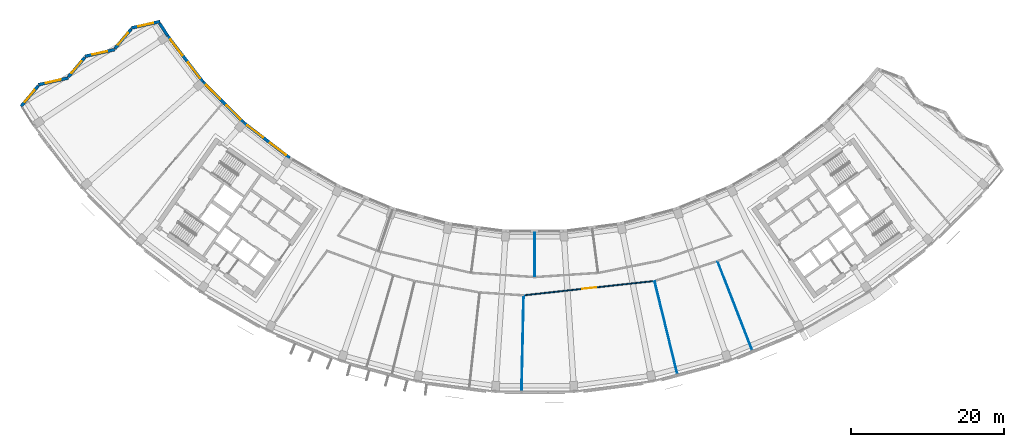
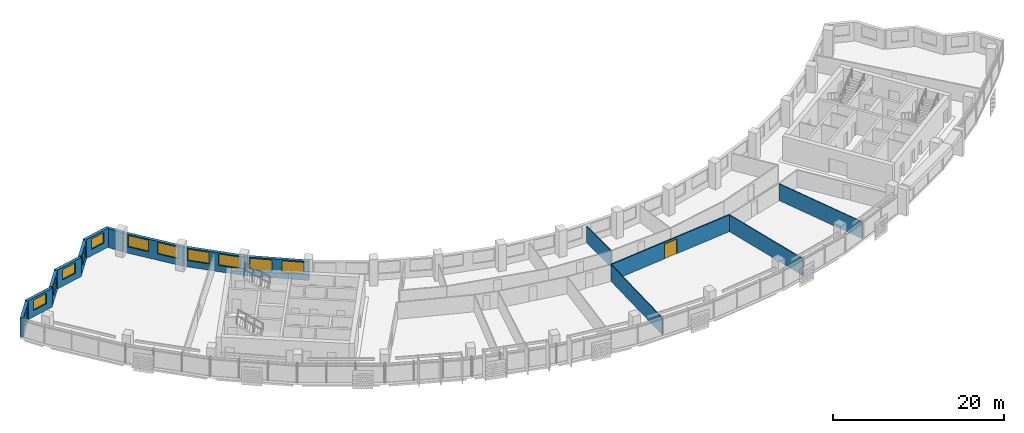
# One storey, part 5 of 27: 15 walls, 12 windows, 1 door, 13 openings.
"""IFC4 building model written with IfcOpenShell, lengths in metres."""

from ifc_helpers import new_model, si_unit, direction, frame, frame_2d, origin, place, context, subcontext, project, spatial, rectangle, extrude, material, layer, layer_set, type_object, element, fill, save


model = new_model("IFC4")

# Units and contexts
model_context = context("Model", 3, precision=1e-05, world=origin(), true_north=direction((0.0, 1.0)))
body_context = subcontext(model_context, "Body", "Model", "MODEL_VIEW")
ifc_project = project(units=[si_unit("LENGTHUNIT", "METRE"), si_unit("AREAUNIT", "SQUARE_METRE"), si_unit("VOLUMEUNIT", "CUBIC_METRE"), si_unit("PLANEANGLEUNIT", "RADIAN"), si_unit("MASSUNIT", "GRAM", prefix="KILO")], contexts=[model_context])

# Site, building, storey
site_placement = place(None, origin())
site = spatial("IfcSite", under=ifc_project, at=site_placement, CompositionType="ELEMENT")
building_placement = place(site_placement, origin())
building = spatial("IfcBuilding", under=site, at=building_placement, Name="Qamariyya Broadcast Tower", CompositionType="ELEMENT")
storey_placement = place(building_placement, frame((0.0, 0.0, 237.89990234375)))
storey = spatial("IfcBuildingStorey", under=building, at=storey_placement, Name="L57", CompositionType="ELEMENT", Elevation=237.89990234375)

# Wall, opening, door
ifc_material_1 = material(Name="Gypsum board partition")
ifc_layer_1 = layer(ifc_material_1, 0.14990234375)
ifc_layer_set_1 = layer_set([ifc_layer_1], Name="Corridor partition 150 EI 60")
wall_type_1 = type_object("IfcWallType", Name="Corridor partition 150 EI 60", PredefinedType="PARTITIONING", material=ifc_layer_set_1)
wall_1_placement = place(storey_placement, frame((15.637939453125, -63.914794921875, 0.0), z_axis=(0.0, 0.0, 1.0), x_axis=(-0.99406045317, -0.108829294966, 0.0)))
wall_1 = element("IfcWall", 1, at=wall_1_placement, inside=storey, type_object=wall_type_1, Name="Partition L57-017", PredefinedType="PARTITIONING", context=body_context, shape_type="SweptSolid", body=[
    extrude(rectangle(XDim=17.17724609375, YDim=0.14990234375, at=frame_2d((8.588623046875, 0.0))), origin(), (0.0, 0.0, 1.0), 2.400146484375),
])
opening_1_placement = place(wall_1_placement, frame((7.688720703125, 0.0, 0.0)))
opening_1 = element("IfcOpeningElement", 2, at=opening_1_placement, cuts=wall_1, Name="Opening L57-D05", PredefinedType="OPENING", context=body_context, shape_type="SweptSolid", body=[
    extrude(rectangle(XDim=1.800048828125, YDim=2.10009765625, at=frame_2d((0.89990234375, 1.050048828125))), frame((0.0, 0.0849609375, 0.0), z_axis=(0.0, -1.0, 0.0), x_axis=(1.0, 0.0, 0.0)), (0.0, 0.0, 1.0), 0.169921875),
])
ifc_material_2 = material(Name="Timber fire door leaf", Category="wood")
door_type = type_object("IfcDoorType", Name="Double fire door 1800 x 2100 FD60", OperationType="NOTDEFINED", PredefinedType="DOOR", material=ifc_material_2)
door_placement = place(opening_1_placement, origin())
door = element("IfcDoor", 3, at=door_placement, inside=storey, type_object=door_type, Name="Door L57-D05", OperationType="DOUBLE_DOOR_SINGLE_SWING", OverallHeight=2.10009765625, OverallWidth=1.800048828125, PredefinedType="DOOR", context=body_context, shape_type="SweptSolid", body=[
    extrude(rectangle(XDim=1.800048828125, YDim=2.10009765625, at=frame_2d((0.89990234375, 1.050048828125))), frame((0.0, 0.02490234375, 0.0), z_axis=(0.0, -1.0, 0.0), x_axis=(1.0, 0.0, 0.0)), (0.0, 0.0, 1.0), 0.050048828125),
])
fill(opening_1, door)

# Walls
ifc_layer_2 = layer(ifc_material_1, 0.10009765625)
ifc_layer_set_2 = layer_set([ifc_layer_2], Name="Partition 100")
wall_type_2 = type_object("IfcWallType", Name="Partition 100", PredefinedType="PARTITIONING", material=ifc_layer_set_2)
wall_2_placement = place(storey_placement, frame((-1.710205078125, -78.28173828125, 0.0), z_axis=(0.0, 0.0, 1.0), x_axis=(0.02182963041, 0.999761705226, 0.0)))
element("IfcWall", 4, at=wall_2_placement, inside=storey, type_object=wall_type_2, Name="Partition L57-016", PredefinedType="PARTITIONING", context=body_context, shape_type="SweptSolid", body=[
    extrude(rectangle(XDim=12.42529296875, YDim=0.10009765625, at=frame_2d((6.212646484375, 0.0))), origin(), (0.0, 0.0, 1.0), 2.400146484375),
])
wall_3_placement = place(storey_placement, frame((0.0, -57.627197265625, 0.0), z_axis=(0.0, 0.0, 1.0), x_axis=(0.0, -1.0, 0.0)))
element("IfcWall", 5, at=wall_3_placement, inside=storey, type_object=wall_type_2, Name="Partition L57-019", PredefinedType="PARTITIONING", context=body_context, shape_type="SweptSolid", body=[
    extrude(rectangle(XDim=5.69775390625, YDim=0.10009765625, at=frame_2d((2.848876953125, 0.0))), origin(), (0.0, 0.0, 1.0), 2.400146484375),
])
for number, where, z_axis, x_axis, name in (
    (6, (18.60888671875, -76.056884765625, 0.0), (0.0, 0.0, 1.0), (-0.237668980718, 0.971346207901, 0.0), "Partition L57-024"),
    (7, (28.376953125, -72.977294921875, 0.0), (0.0, 0.0, 1.0), (-0.362402643561, 0.932021632764, 0.0), "Partition L57-028"),
):
    element("IfcWall", number, at=place(storey_placement, frame(where, z_axis=z_axis, x_axis=x_axis)), inside=storey, type_object=wall_type_2, Name=name, PredefinedType="PARTITIONING", context=body_context, shape_type="SweptSolid", body=[
        extrude(rectangle(XDim=12.42529296875, YDim=0.10009765625, at=frame_2d((6.212646484375, 0.0))), origin(), (0.0, 0.0, 1.0), 2.400146484375),
    ])

# Wall, opening, window
ifc_material_3 = material(Name="Terracotta", Category="masonry")
ifc_layer_3 = layer(ifc_material_3, 0.39990234375)
ifc_layer_set_3 = layer_set([ifc_layer_3], Name="Terracotta clad wall 400")
wall_type_3 = type_object("IfcWallType", Name="Terracotta clad wall 400", PredefinedType="SOLIDWALL", material=ifc_layer_set_3)
wall_4_placement = place(storey_placement, frame((-48.857177734375, -30.075927734375, 0.0), z_axis=(0.0, 0.0, 1.0), x_axis=(-0.97561725749, -0.219478852938, 0.0)))
wall_4 = element("IfcWall", 8, at=wall_4_placement, inside=storey, type_object=wall_type_3, Name="e-wl-L57-capW0", PredefinedType="SOLIDWALL", context=body_context, shape_type="SweptSolid", body=[
    extrude(rectangle(XDim=3.833251953125, YDim=0.39990234375, at=frame_2d((1.91650390625, 0.0))), origin(), (0.0, 0.0, 1.0), 2.7001953125),
])
opening_2_placement = place(wall_4_placement, frame((0.91650390625, 0.0, 0.89990234375)))
opening_2 = element("IfcOpeningElement", 9, at=opening_2_placement, cuts=wall_4, Name="Opening W4", PredefinedType="OPENING", context=body_context, shape_type="SweptSolid", body=[
    extrude(rectangle(XDim=2.0, YDim=1.5, at=frame_2d((1.0, 0.75))), frame((0.0, 0.2099609375, 0.0), z_axis=(0.0, -1.0, 0.0), x_axis=(1.0, 0.0, 0.0)), (0.0, 0.0, 1.0), 0.419921875),
])
ifc_material_4 = material(Name="Clear low-e double glazed unit in aluminium frame", Category="aluminium")
window_type_1 = type_object("IfcWindowType", Name="Horn bay window 2000 x 1500", PartitioningType="SINGLE_PANEL", PredefinedType="WINDOW", material=ifc_material_4)
window_1_placement = place(opening_2_placement, origin())
window_1 = element("IfcWindow", 10, at=window_1_placement, inside=storey, type_object=window_type_1, Name="e-w-L57-capW0", OverallHeight=1.5, OverallWidth=2.0, PartitioningType="SINGLE_PANEL", PredefinedType="WINDOW", context=body_context, shape_type="SweptSolid", body=[
    extrude(rectangle(XDim=2.0, YDim=1.5, at=frame_2d((1.0, 0.75))), frame((0.0, 0.030029296875, 0.0), z_axis=(0.0, -1.0, 0.0), x_axis=(1.0, 0.0, 0.0)), (0.0, 0.0, 1.0), 0.06005859375),
])
fill(opening_2, window_1)

wall_5_placement = place(storey_placement, frame((-52.618896484375, -31.056884765625, 0.0), z_axis=(0.0, 0.0, 1.0), x_axis=(-0.642384228886, -0.766382738896, 0.0)))
wall_5 = element("IfcWall", 11, at=wall_5_placement, inside=storey, type_object=wall_type_3, Name="e-wl-L57-capW1", PredefinedType="SOLIDWALL", context=body_context, shape_type="SweptSolid", body=[
    extrude(rectangle(XDim=3.325439453125, YDim=0.39990234375, at=frame_2d((1.66259765625, 0.0))), origin(), (0.0, 0.0, 1.0), 2.7001953125),
])
opening_3_placement = place(wall_5_placement, frame((0.662841796875, 0.0, 0.89990234375)))
opening_3 = element("IfcOpeningElement", 12, at=opening_3_placement, cuts=wall_5, Name="Opening W4", PredefinedType="OPENING", context=body_context, shape_type="SweptSolid", body=[
    extrude(rectangle(XDim=2.0, YDim=1.5, at=frame_2d((1.0, 0.75))), frame((0.0, 0.2099609375, 0.0), z_axis=(0.0, -1.0, 0.0), x_axis=(1.0, 0.0, 0.0)), (0.0, 0.0, 1.0), 0.419921875),
])
window_2_placement = place(opening_3_placement, origin())
window_2 = element("IfcWindow", 13, at=window_2_placement, inside=storey, type_object=window_type_1, Name="e-w-L57-capW1", OverallHeight=1.5, OverallWidth=2.0, PartitioningType="SINGLE_PANEL", PredefinedType="WINDOW", context=body_context, shape_type="SweptSolid", body=[
    extrude(rectangle(XDim=2.0, YDim=1.5, at=frame_2d((1.0, 0.75))), frame((0.0, 0.030029296875, 0.0), z_axis=(0.0, -1.0, 0.0), x_axis=(1.0, 0.0, 0.0)), (0.0, 0.0, 1.0), 0.06005859375),
])
fill(opening_3, window_2)

wall_6_placement = place(storey_placement, frame((-54.777099609375, -33.7451171875, 0.0), z_axis=(0.0, 0.0, 1.0), x_axis=(-0.975595621959, -0.219575004074, 0.0)))
wall_6 = element("IfcWall", 14, at=wall_6_placement, inside=storey, type_object=wall_type_3, Name="e-wl-L57-capW2", PredefinedType="SOLIDWALL", context=body_context, shape_type="SweptSolid", body=[
    extrude(rectangle(XDim=3.977294921875, YDim=0.39990234375, at=frame_2d((1.98876953125, 0.0))), origin(), (0.0, 0.0, 1.0), 2.7001953125),
])
opening_4_placement = place(wall_6_placement, frame((0.988525390625, 0.0, 0.89990234375)))
opening_4 = element("IfcOpeningElement", 15, at=opening_4_placement, cuts=wall_6, Name="Opening W4", PredefinedType="OPENING", context=body_context, shape_type="SweptSolid", body=[
    extrude(rectangle(XDim=2.0, YDim=1.5, at=frame_2d((1.0, 0.75))), frame((0.0, 0.2099609375, 0.0), z_axis=(0.0, -1.0, 0.0), x_axis=(1.0, 0.0, 0.0)), (0.0, 0.0, 1.0), 0.419921875),
])
window_3_placement = place(opening_4_placement, origin())
window_3 = element("IfcWindow", 16, at=window_3_placement, inside=storey, type_object=window_type_1, Name="e-w-L57-capW2", OverallHeight=1.5, OverallWidth=2.0, PartitioningType="SINGLE_PANEL", PredefinedType="WINDOW", context=body_context, shape_type="SweptSolid", body=[
    extrude(rectangle(XDim=2.0, YDim=1.5, at=frame_2d((1.0, 0.75))), frame((0.0, 0.030029296875, 0.0), z_axis=(0.0, -1.0, 0.0), x_axis=(1.0, 0.0, 0.0)), (0.0, 0.0, 1.0), 0.06005859375),
])
fill(opening_4, window_3)

wall_7_placement = place(storey_placement, frame((-58.67919921875, -34.7578125, 0.0), z_axis=(0.0, 0.0, 1.0), x_axis=(-0.642283999944, -0.766466739928, 0.0)))
wall_7 = element("IfcWall", 17, at=wall_7_placement, inside=storey, type_object=wall_type_3, Name="e-wl-L57-capW3", PredefinedType="SOLIDWALL", context=body_context, shape_type="SweptSolid", body=[
    extrude(rectangle(XDim=3.324462890625, YDim=0.39990234375, at=frame_2d((1.662109375, 0.0))), origin(), (0.0, 0.0, 1.0), 2.7001953125),
])
opening_5_placement = place(wall_7_placement, frame((0.662353515625, 0.0, 0.89990234375)))
opening_5 = element("IfcOpeningElement", 18, at=opening_5_placement, cuts=wall_7, Name="Opening W4", PredefinedType="OPENING", context=body_context, shape_type="SweptSolid", body=[
    extrude(rectangle(XDim=2.0, YDim=1.5, at=frame_2d((1.0, 0.75))), frame((0.0, 0.2099609375, 0.0), z_axis=(0.0, -1.0, 0.0), x_axis=(1.0, 0.0, 0.0)), (0.0, 0.0, 1.0), 0.419921875),
])
window_4_placement = place(opening_5_placement, origin())
window_4 = element("IfcWindow", 19, at=window_4_placement, inside=storey, type_object=window_type_1, Name="e-w-L57-capW3", OverallHeight=1.5, OverallWidth=2.0, PartitioningType="SINGLE_PANEL", PredefinedType="WINDOW", context=body_context, shape_type="SweptSolid", body=[
    extrude(rectangle(XDim=2.0, YDim=1.5, at=frame_2d((1.0, 0.75))), frame((0.0, 0.030029296875, 0.0), z_axis=(0.0, -1.0, 0.0), x_axis=(1.0, 0.0, 0.0)), (0.0, 0.0, 1.0), 0.06005859375),
])
fill(opening_5, window_4)

wall_8_placement = place(storey_placement, frame((-60.83642578125, -37.445556640625, 0.0), z_axis=(0.0, 0.0, 1.0), x_axis=(-0.975581162557, -0.2196392389, 0.0)))
wall_8 = element("IfcWall", 20, at=wall_8_placement, inside=storey, type_object=wall_type_3, Name="e-wl-L57-capW4", PredefinedType="SOLIDWALL", context=body_context, shape_type="SweptSolid", body=[
    extrude(rectangle(XDim=3.978271484375, YDim=0.39990234375, at=frame_2d((1.9892578125, 0.0))), origin(), (0.0, 0.0, 1.0), 2.7001953125),
])
opening_6_placement = place(wall_8_placement, frame((0.989013671875, 0.0, 0.89990234375)))
opening_6 = element("IfcOpeningElement", 21, at=opening_6_placement, cuts=wall_8, Name="Opening W4", PredefinedType="OPENING", context=body_context, shape_type="SweptSolid", body=[
    extrude(rectangle(XDim=2.0, YDim=1.5, at=frame_2d((1.0, 0.75))), frame((0.0, 0.2099609375, 0.0), z_axis=(0.0, -1.0, 0.0), x_axis=(1.0, 0.0, 0.0)), (0.0, 0.0, 1.0), 0.419921875),
])
window_5_placement = place(opening_6_placement, origin())
window_5 = element("IfcWindow", 22, at=window_5_placement, inside=storey, type_object=window_type_1, Name="e-w-L57-capW4", OverallHeight=1.5, OverallWidth=2.0, PartitioningType="SINGLE_PANEL", PredefinedType="WINDOW", context=body_context, shape_type="SweptSolid", body=[
    extrude(rectangle(XDim=2.0, YDim=1.5, at=frame_2d((1.0, 0.75))), frame((0.0, 0.030029296875, 0.0), z_axis=(0.0, -1.0, 0.0), x_axis=(1.0, 0.0, 0.0)), (0.0, 0.0, 1.0), 0.06005859375),
])
fill(opening_6, window_5)

wall_9_placement = place(storey_placement, frame((-64.739501953125, -38.458984375, 0.0), z_axis=(0.0, 0.0, 1.0), x_axis=(-0.64221539653, -0.766524223009, 0.0)))
wall_9 = element("IfcWall", 23, at=wall_9_placement, inside=storey, type_object=wall_type_3, Name="e-wl-L57-capW5", PredefinedType="SOLIDWALL", context=body_context, shape_type="SweptSolid", body=[
    extrude(rectangle(XDim=3.472412109375, YDim=0.39990234375, at=frame_2d((1.736328125, 0.0))), origin(), (0.0, 0.0, 1.0), 2.7001953125),
])
opening_7_placement = place(wall_9_placement, frame((0.736083984375, 0.0, 0.89990234375)))
opening_7 = element("IfcOpeningElement", 24, at=opening_7_placement, cuts=wall_9, Name="Opening W4", PredefinedType="OPENING", context=body_context, shape_type="SweptSolid", body=[
    extrude(rectangle(XDim=2.0, YDim=1.5, at=frame_2d((1.0, 0.75))), frame((0.0, 0.2099609375, 0.0), z_axis=(0.0, -1.0, 0.0), x_axis=(1.0, 0.0, 0.0)), (0.0, 0.0, 1.0), 0.419921875),
])
window_6_placement = place(opening_7_placement, origin())
window_6 = element("IfcWindow", 25, at=window_6_placement, inside=storey, type_object=window_type_1, Name="e-w-L57-capW5", OverallHeight=1.5, OverallWidth=2.0, PartitioningType="SINGLE_PANEL", PredefinedType="WINDOW", context=body_context, shape_type="SweptSolid", body=[
    extrude(rectangle(XDim=2.0, YDim=1.5, at=frame_2d((1.0, 0.75))), frame((0.0, 0.030029296875, 0.0), z_axis=(0.0, -1.0, 0.0), x_axis=(1.0, 0.0, 0.0)), (0.0, 0.0, 1.0), 0.06005859375),
])
fill(opening_7, window_6)

# Wall
wall_10_placement = place(storey_placement, frame((-47.865966796875, -31.949951171875, 0.0), z_axis=(0.0, 0.0, 1.0), x_axis=(-0.538499349741, 0.842625925502, 0.0)))
element("IfcWall", 26, at=wall_10_placement, inside=storey, type_object=wall_type_3, Name="e-wl-L57-in00", PredefinedType="SOLIDWALL", context=body_context, shape_type="SweptSolid", body=[
    extrude(rectangle(XDim=1.925048828125, YDim=0.39990234375, at=frame_2d((0.96240234375, 0.0))), origin(), (0.0, 0.0, 1.0), 2.7001953125),
])

# Wall, openings, windows
wall_11_placement = place(storey_placement, frame((-43.25341796875, -37.965576171875, 0.0), z_axis=(0.0, 0.0, 1.0), x_axis=(-0.608774376392, 0.793343405247, 0.0)))
wall_11 = element("IfcWall", 27, at=wall_11_placement, inside=storey, type_object=wall_type_3, Name="e-wl-L57-in10", PredefinedType="SOLIDWALL", context=body_context, shape_type="SweptSolid", body=[
    extrude(rectangle(XDim=7.5634765625, YDim=0.39990234375, at=frame_2d((3.78173828125, 0.0))), origin(), (0.0, 0.0, 1.0), 2.7001953125),
])
opening_8_placement = place(wall_11_placement, frame((4.364501953125, 0.0, 0.89990234375)))
opening_8 = element("IfcOpeningElement", 28, at=opening_8_placement, cuts=wall_11, Name="Opening W1", PredefinedType="OPENING", context=body_context, shape_type="SweptSolid", body=[
    extrude(rectangle(XDim=2.60009765625, YDim=1.64990234375, at=frame_2d((1.300048828125, 0.824951171875))), frame((0.0, 0.2099609375, 0.0), z_axis=(0.0, -1.0, 0.0), x_axis=(1.0, 0.0, 0.0)), (0.0, 0.0, 1.0), 0.419921875),
])
opening_9_placement = place(wall_11_placement, frame((0.613525390625, 0.0, 0.89990234375)))
opening_9 = element("IfcOpeningElement", 29, at=opening_9_placement, cuts=wall_11, Name="Opening W1", PredefinedType="OPENING", context=body_context, shape_type="SweptSolid", body=[
    extrude(rectangle(XDim=2.60009765625, YDim=1.64990234375, at=frame_2d((1.300048828125, 0.824951171875))), frame((0.0, 0.2099609375, 0.0), z_axis=(0.0, -1.0, 0.0), x_axis=(1.0, 0.0, 0.0)), (0.0, 0.0, 1.0), 0.419921875),
])
window_type_2 = type_object("IfcWindowType", Name="Ribbon window 2600 x 1650", PartitioningType="SINGLE_PANEL", PredefinedType="WINDOW", material=ifc_material_4)
window_7_placement = place(opening_8_placement, origin())
window_7 = element("IfcWindow", 30, at=window_7_placement, inside=storey, type_object=window_type_2, Name="e-w-L57-in01-0", OverallHeight=1.64990234375, OverallWidth=2.60009765625, PartitioningType="SINGLE_PANEL", PredefinedType="WINDOW", context=body_context, shape_type="SweptSolid", body=[
    extrude(rectangle(XDim=2.60009765625, YDim=1.64990234375, at=frame_2d((1.300048828125, 0.824951171875))), frame((0.0, 0.030029296875, 0.0), z_axis=(0.0, -1.0, 0.0), x_axis=(1.0, 0.0, 0.0)), (0.0, 0.0, 1.0), 0.06005859375),
])
fill(opening_8, window_7)
window_8_placement = place(opening_9_placement, origin())
window_8 = element("IfcWindow", 31, at=window_8_placement, inside=storey, type_object=window_type_2, Name="e-w-L57-in01-1", OverallHeight=1.64990234375, OverallWidth=2.60009765625, PartitioningType="SINGLE_PANEL", PredefinedType="WINDOW", context=body_context, shape_type="SweptSolid", body=[
    extrude(rectangle(XDim=2.60009765625, YDim=1.64990234375, at=frame_2d((1.300048828125, 0.824951171875))), frame((0.0, 0.030029296875, 0.0), z_axis=(0.0, -1.0, 0.0), x_axis=(1.0, 0.0, 0.0)), (0.0, 0.0, 1.0), 0.06005859375),
])
fill(opening_9, window_8)

wall_12_placement = place(storey_placement, frame((-37.9814453125, -43.23291015625, 0.0), z_axis=(0.0, 0.0, 1.0), x_axis=(-0.707106781187, 0.707106781187, 0.0)))
wall_12 = element("IfcWall", 32, at=wall_12_placement, inside=storey, type_object=wall_type_3, Name="e-wl-L57-in20", PredefinedType="SOLIDWALL", context=body_context, shape_type="SweptSolid", body=[
    extrude(rectangle(XDim=7.4267578125, YDim=0.39990234375, at=frame_2d((3.71337890625, 0.0))), origin(), (0.0, 0.0, 1.0), 2.7001953125),
])
opening_10_placement = place(wall_12_placement, frame((4.28857421875, 0.0, 0.89990234375)))
opening_10 = element("IfcOpeningElement", 33, at=opening_10_placement, cuts=wall_12, Name="Opening W1", PredefinedType="OPENING", context=body_context, shape_type="SweptSolid", body=[
    extrude(rectangle(XDim=2.60009765625, YDim=1.64990234375, at=frame_2d((1.300048828125, 0.824951171875))), frame((0.0, 0.2099609375, 0.0), z_axis=(0.0, -1.0, 0.0), x_axis=(1.0, 0.0, 0.0)), (0.0, 0.0, 1.0), 0.419921875),
])
opening_11_placement = place(wall_12_placement, frame((0.537841796875, 0.0, 0.89990234375)))
opening_11 = element("IfcOpeningElement", 34, at=opening_11_placement, cuts=wall_12, Name="Opening W1", PredefinedType="OPENING", context=body_context, shape_type="SweptSolid", body=[
    extrude(rectangle(XDim=2.60009765625, YDim=1.64990234375, at=frame_2d((1.300048828125, 0.824951171875))), frame((0.0, 0.2099609375, 0.0), z_axis=(0.0, -1.0, 0.0), x_axis=(1.0, 0.0, 0.0)), (0.0, 0.0, 1.0), 0.419921875),
])
window_9_placement = place(opening_10_placement, origin())
window_9 = element("IfcWindow", 35, at=window_9_placement, inside=storey, type_object=window_type_2, Name="e-w-L57-in02-0", OverallHeight=1.64990234375, OverallWidth=2.60009765625, PartitioningType="SINGLE_PANEL", PredefinedType="WINDOW", context=body_context, shape_type="SweptSolid", body=[
    extrude(rectangle(XDim=2.60009765625, YDim=1.64990234375, at=frame_2d((1.300048828125, 0.824951171875))), frame((0.0, 0.030029296875, 0.0), z_axis=(0.0, -1.0, 0.0), x_axis=(1.0, 0.0, 0.0)), (0.0, 0.0, 1.0), 0.06005859375),
])
fill(opening_10, window_9)
window_10_placement = place(opening_11_placement, origin())
window_10 = element("IfcWindow", 36, at=window_10_placement, inside=storey, type_object=window_type_2, Name="e-w-L57-in02-1", OverallHeight=1.64990234375, OverallWidth=2.60009765625, PartitioningType="SINGLE_PANEL", PredefinedType="WINDOW", context=body_context, shape_type="SweptSolid", body=[
    extrude(rectangle(XDim=2.60009765625, YDim=1.64990234375, at=frame_2d((1.300048828125, 0.824951171875))), frame((0.0, 0.030029296875, 0.0), z_axis=(0.0, -1.0, 0.0), x_axis=(1.0, 0.0, 0.0)), (0.0, 0.0, 1.0), 0.06005859375),
])
fill(opening_11, window_10)

wall_13_placement = place(storey_placement, frame((-31.953369140625, -47.86669921875, 0.0), z_axis=(0.0, 0.0, 1.0), x_axis=(-0.793356365089, 0.608757486995, 0.0)))
wall_13 = element("IfcWall", 37, at=wall_13_placement, inside=storey, type_object=wall_type_3, Name="e-wl-L57-in30", PredefinedType="SOLIDWALL", context=body_context, shape_type="SweptSolid", body=[
    extrude(rectangle(XDim=7.578125, YDim=0.39990234375, at=frame_2d((3.7890625, 0.0))), origin(), (0.0, 0.0, 1.0), 2.7001953125),
])
opening_12_placement = place(wall_13_placement, frame((4.364501953125, 0.0, 0.89990234375)))
opening_12 = element("IfcOpeningElement", 38, at=opening_12_placement, cuts=wall_13, Name="Opening W1", PredefinedType="OPENING", context=body_context, shape_type="SweptSolid", body=[
    extrude(rectangle(XDim=2.60009765625, YDim=1.64990234375, at=frame_2d((1.300048828125, 0.824951171875))), frame((0.0, 0.2099609375, 0.0), z_axis=(0.0, -1.0, 0.0), x_axis=(1.0, 0.0, 0.0)), (0.0, 0.0, 1.0), 0.419921875),
])
opening_13_placement = place(wall_13_placement, frame((0.613525390625, 0.0, 0.89990234375)))
opening_13 = element("IfcOpeningElement", 39, at=opening_13_placement, cuts=wall_13, Name="Opening W1", PredefinedType="OPENING", context=body_context, shape_type="SweptSolid", body=[
    extrude(rectangle(XDim=2.60009765625, YDim=1.64990234375, at=frame_2d((1.300048828125, 0.824951171875))), frame((0.0, 0.2099609375, 0.0), z_axis=(0.0, -1.0, 0.0), x_axis=(1.0, 0.0, 0.0)), (0.0, 0.0, 1.0), 0.419921875),
])
window_11_placement = place(opening_12_placement, origin())
window_11 = element("IfcWindow", 40, at=window_11_placement, inside=storey, type_object=window_type_2, Name="e-w-L57-in03-0", OverallHeight=1.64990234375, OverallWidth=2.60009765625, PartitioningType="SINGLE_PANEL", PredefinedType="WINDOW", context=body_context, shape_type="SweptSolid", body=[
    extrude(rectangle(XDim=2.60009765625, YDim=1.64990234375, at=frame_2d((1.300048828125, 0.824951171875))), frame((0.0, 0.030029296875, 0.0), z_axis=(0.0, -1.0, 0.0), x_axis=(1.0, 0.0, 0.0)), (0.0, 0.0, 1.0), 0.06005859375),
])
fill(opening_12, window_11)
window_12_placement = place(opening_13_placement, origin())
window_12 = element("IfcWindow", 41, at=window_12_placement, inside=storey, type_object=window_type_2, Name="e-w-L57-in03-1", OverallHeight=1.64990234375, OverallWidth=2.60009765625, PartitioningType="SINGLE_PANEL", PredefinedType="WINDOW", context=body_context, shape_type="SweptSolid", body=[
    extrude(rectangle(XDim=2.60009765625, YDim=1.64990234375, at=frame_2d((1.300048828125, 0.824951171875))), frame((0.0, 0.030029296875, 0.0), z_axis=(0.0, -1.0, 0.0), x_axis=(1.0, 0.0, 0.0)), (0.0, 0.0, 1.0), 0.06005859375),
])
fill(opening_13, window_12)

save(model, "model.ifc")
